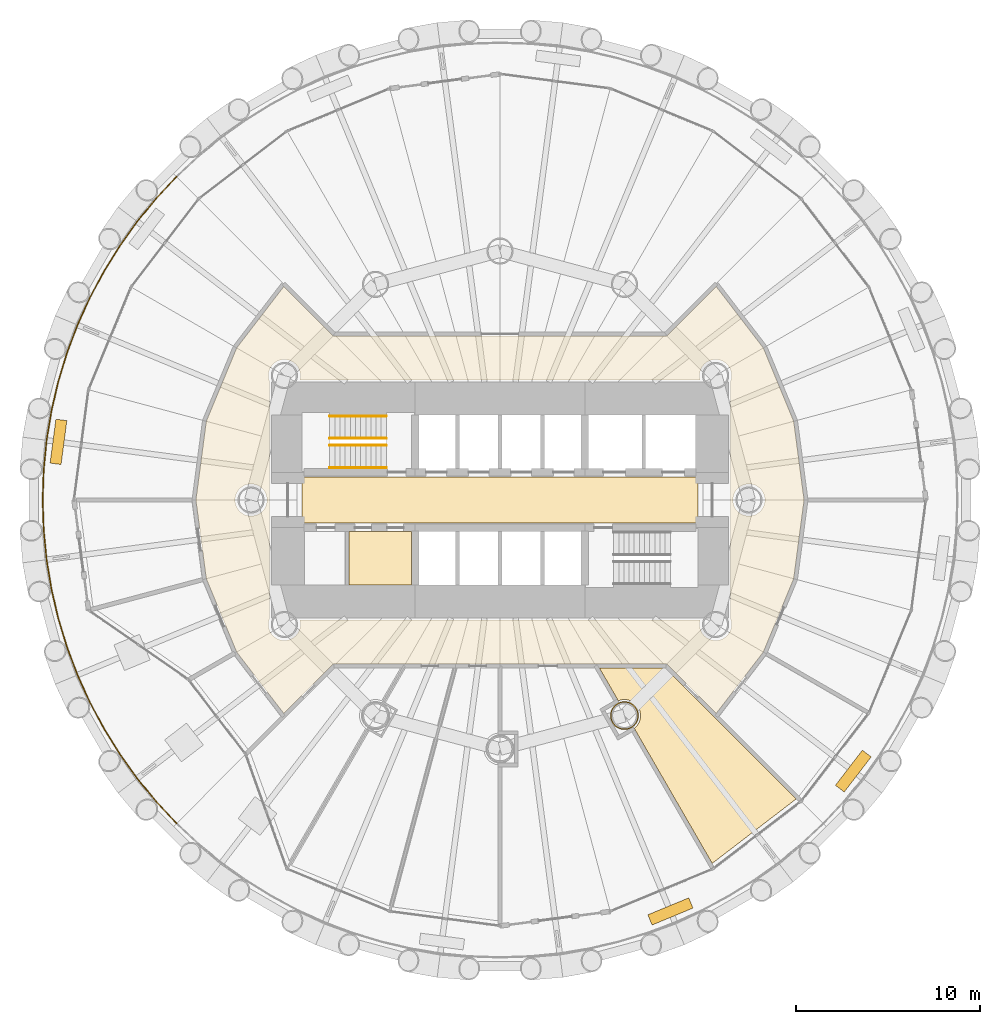
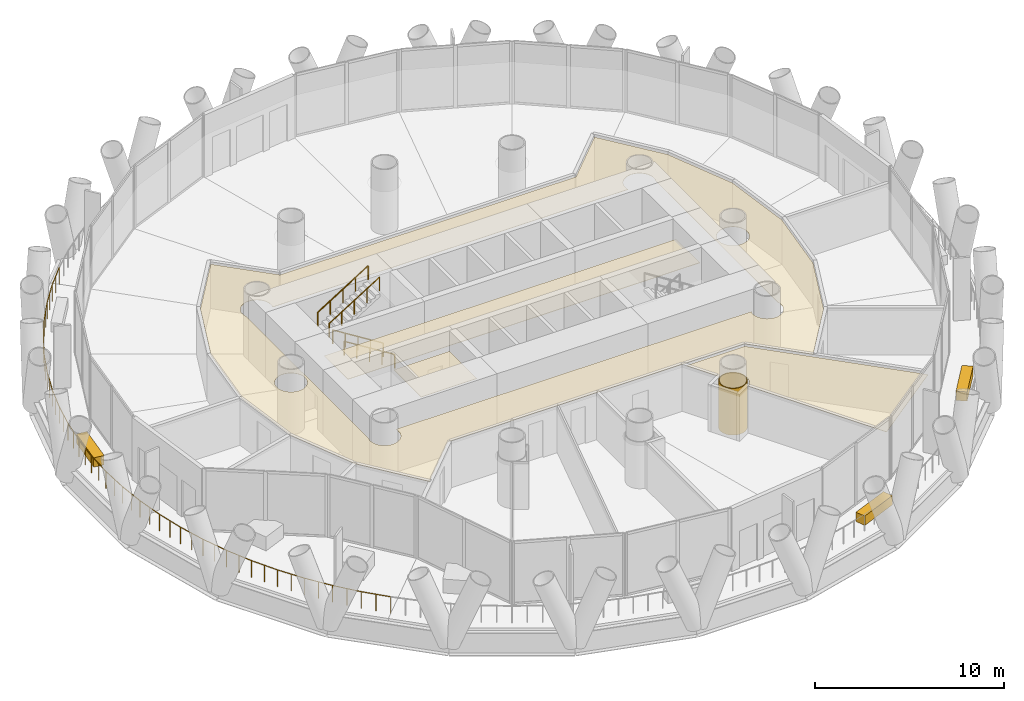
# One storey, part 12 of 14: 8 coverings, 5 railings.
"""IFC4 building model written with IfcOpenShell, lengths in metres."""

from ifc_helpers import new_model, si_unit, direction, frame, origin, origin_2d, place, context, subcontext, project, spatial, polyline, rectangle, circle, outline, extrude, material, layer, layer_set, type_object, element, save


model = new_model("IFC4")

# Units and contexts
model_context = context("Model", 3, precision=1e-05, world=origin(), true_north=direction((0.0, 1.0)))
body_context = subcontext(model_context, "Body", "Model", "MODEL_VIEW")
ifc_project = project(units=[si_unit("LENGTHUNIT", "METRE"), si_unit("AREAUNIT", "SQUARE_METRE"), si_unit("VOLUMEUNIT", "CUBIC_METRE"), si_unit("PLANEANGLEUNIT", "RADIAN"), si_unit("MASSUNIT", "GRAM", prefix="KILO")], contexts=[model_context])

# Site, building, storey
site_placement = place(None, origin())
site = spatial("IfcSite", under=ifc_project, at=site_placement, CompositionType="ELEMENT")
building_placement = place(site_placement, origin())
building = spatial("IfcBuilding", under=site, at=building_placement, Name="Qaws Media Tower", CompositionType="ELEMENT")
storey_placement = place(building_placement, frame((0.0, 0.0, 84.800048828125)))
storey = spatial("IfcBuildingStorey", under=building, at=storey_placement, Name="L18", CompositionType="ELEMENT", Elevation=84.800048828125)

# Railing
ifc_material_1 = material(Name="Stainless steel and glass guard", Category="steel")
railing_type_1 = type_object("IfcRailingType", Name="Balcony guard 1100", PredefinedType="GUARDRAIL", material=ifc_material_1)
railing_placement = place(storey_placement, frame((42.4638671875, 67.5361328125, 0.0)))
element("IfcRailing", 1, at=railing_placement, inside=storey, type_object=railing_type_1, Name="GR1 balcony guard L18-2", PredefinedType="GUARDRAIL", context=body_context, shape_type="SweptSolid", body=[
    extrude(circle(Radius=0.02392578125, at=origin_2d()), frame((0.0, 0.0, 1.076171875), z_axis=(-0.683635794022, -0.729823335563, 0.0), x_axis=(0.729823335563, -0.683635794022, 0.0)), (0.0, 0.0, 1.0), 1.622802734375),
    extrude(circle(Radius=0.02392578125, at=origin_2d()), frame((-1.109375, -1.184326171875, 1.076171875), z_axis=(-0.634351188595, -0.773044998385, 0.0), x_axis=(0.773044998385, -0.634351188595, 0.0)), (0.0, 0.0, 1.0), 1.623046875),
    extrude(circle(Radius=0.02392578125, at=origin_2d()), frame((-2.138916015625, -2.43896484375, 1.076171875), z_axis=(-0.582504032604, -0.812827812024, 0.0), x_axis=(0.812827812024, -0.582504032604, 0.0)), (0.0, 0.0, 1.0), 1.622802734375),
    extrude(circle(Radius=0.02392578125, at=origin_2d()), frame((-3.084228515625, -3.758056640625, 1.076171875), z_axis=(-0.528145239967, -0.849154052867, 0.0), x_axis=(0.849154052867, -0.528145239967, 0.0)), (0.0, 0.0, 1.0), 1.623046875),
    extrude(circle(Radius=0.02392578125, at=origin_2d()), frame((-3.94140625, -5.13623046875, 1.076171875), z_axis=(-0.471361130301, -0.881940295508, 0.0), x_axis=(0.881940295508, -0.471361130301, 0.0)), (0.0, 0.0, 1.0), 1.622802734375),
    extrude(circle(Radius=0.02392578125, at=origin_2d()), frame((-4.706298828125, -6.5673828125, 1.076171875), z_axis=(-0.412646518677, -0.910891239734, 0.0), x_axis=(0.910891239734, -0.412646518677, 0.0)), (0.0, 0.0, 1.0), 1.622802734375),
    extrude(circle(Radius=0.02392578125, at=origin_2d()), frame((-5.3759765625, -8.045654296875, 1.076171875), z_axis=(-0.352326658486, -0.935877089003, 0.0), x_axis=(0.935877089003, -0.352326658486, 0.0)), (0.0, 0.0, 1.0), 1.622802734375),
    extrude(circle(Radius=0.02392578125, at=origin_2d()), frame((-5.94775390625, -9.564453125, 1.076171875), z_axis=(-0.290341398585, -0.956923127669, 0.0), x_axis=(0.956923127669, -0.290341398585, 0.0)), (0.0, 0.0, 1.0), 1.622802734375),
    extrude(circle(Radius=0.02392578125, at=origin_2d()), frame((-6.4189453125, -11.117431640625, 1.076171875), z_axis=(-0.227001346389, -0.973894444351, 0.0), x_axis=(0.973894444351, -0.227001346389, 0.0)), (0.0, 0.0, 1.0), 1.623046875),
    extrude(circle(Radius=0.02392578125, at=origin_2d()), frame((-6.787353515625, -12.697998046875, 1.076171875), z_axis=(-0.162934989647, -0.986636807112, 0.0), x_axis=(0.986636807112, -0.162934989647, 0.0)), (0.0, 0.0, 1.0), 1.622802734375),
    extrude(circle(Radius=0.02392578125, at=origin_2d()), frame((-7.0517578125, -14.299072265625, 1.076171875), z_axis=(-0.097939565983, -0.995192364026, 0.0), x_axis=(0.995192364026, -0.097939565983, 0.0)), (0.0, 0.0, 1.0), 1.622802734375),
    extrude(circle(Radius=0.02392578125, at=origin_2d()), frame((-7.210693359375, -15.9140625, 1.076171875), z_axis=(-0.032793911114, -0.999462135048, 0.0), x_axis=(0.999462135048, -0.032793911114, 0.0)), (0.0, 0.0, 1.0), 1.623046875),
    extrude(circle(Radius=0.02392578125, at=origin_2d()), frame((-7.263916015625, -17.5361328125, 1.076171875), z_axis=(0.032793911114, -0.999462135048, 0.0), x_axis=(0.999462135048, 0.032793911114, 0.0)), (0.0, 0.0, 1.0), 1.623046875),
    extrude(circle(Radius=0.02392578125, at=origin_2d()), frame((-7.210693359375, -19.158203125, 1.076171875), z_axis=(0.097939565983, -0.995192364026, 0.0), x_axis=(0.995192364026, 0.097939565983, 0.0)), (0.0, 0.0, 1.0), 1.622802734375),
    extrude(circle(Radius=0.02392578125, at=origin_2d()), frame((-7.0517578125, -20.773193359375, 1.076171875), z_axis=(0.162934989647, -0.986636807112, 0.0), x_axis=(0.986636807112, 0.162934989647, 0.0)), (0.0, 0.0, 1.0), 1.622802734375),
    extrude(circle(Radius=0.02392578125, at=origin_2d()), frame((-6.787353515625, -22.374267578125, 1.076171875), z_axis=(0.227001346389, -0.973894444351, 0.0), x_axis=(0.973894444351, 0.227001346389, 0.0)), (0.0, 0.0, 1.0), 1.623046875),
    extrude(circle(Radius=0.02392578125, at=origin_2d()), frame((-6.4189453125, -23.954833984375, 1.076171875), z_axis=(0.290341398585, -0.956923127669, 0.0), x_axis=(0.956923127669, 0.290341398585, 0.0)), (0.0, 0.0, 1.0), 1.622802734375),
    extrude(circle(Radius=0.02392578125, at=origin_2d()), frame((-5.94775390625, -25.5078125, 1.076171875), z_axis=(0.352326658486, -0.935877089003, 0.0), x_axis=(0.935877089003, 0.352326658486, 0.0)), (0.0, 0.0, 1.0), 1.622802734375),
    extrude(circle(Radius=0.02392578125, at=origin_2d()), frame((-5.3759765625, -27.026611328125, 1.076171875), z_axis=(0.412646518677, -0.910891239734, 0.0), x_axis=(0.910891239734, 0.412646518677, 0.0)), (0.0, 0.0, 1.0), 1.622802734375),
    extrude(circle(Radius=0.02392578125, at=origin_2d()), frame((-4.706298828125, -28.5048828125, 1.076171875), z_axis=(0.471361130301, -0.881940295508, 0.0), x_axis=(0.881940295508, 0.471361130301, 0.0)), (0.0, 0.0, 1.0), 1.622802734375),
    extrude(circle(Radius=0.02392578125, at=origin_2d()), frame((-3.94140625, -29.93603515625, 1.076171875), z_axis=(0.528145239967, -0.849154052867, 0.0), x_axis=(0.849154052867, 0.528145239967, 0.0)), (0.0, 0.0, 1.0), 1.623046875),
    extrude(circle(Radius=0.02392578125, at=origin_2d()), frame((-3.084228515625, -31.314208984375, 1.076171875), z_axis=(0.582504032604, -0.812827812024, 0.0), x_axis=(0.812827812024, 0.582504032604, 0.0)), (0.0, 0.0, 1.0), 1.622802734375),
    extrude(circle(Radius=0.02392578125, at=origin_2d()), frame((-2.138916015625, -32.63330078125, 1.076171875), z_axis=(0.634351188595, -0.773044998385, 0.0), x_axis=(0.773044998385, 0.634351188595, 0.0)), (0.0, 0.0, 1.0), 1.623046875),
    extrude(circle(Radius=0.02392578125, at=origin_2d()), frame((-1.109375, -33.887939453125, 1.076171875), z_axis=(0.683635794022, -0.729823335563, 0.0), x_axis=(0.729823335563, 0.683635794022, 0.0)), (0.0, 0.0, 1.0), 1.622802734375),
    extrude(circle(Radius=0.02099609375, at=origin_2d()), origin(), (0.0, 0.0, 1.0), 1.052001953125),
    extrude(circle(Radius=0.02099609375, at=origin_2d()), frame((-0.5546875, -0.59228515625, 0.0)), (0.0, 0.0, 1.0), 1.052001953125),
    extrude(circle(Radius=0.02099609375, at=origin_2d()), frame((-1.109375, -1.184326171875, 0.0)), (0.0, 0.0, 1.0), 1.052001953125),
    extrude(circle(Radius=0.02099609375, at=origin_2d()), frame((-1.6240234375, -1.8115234375, 0.0)), (0.0, 0.0, 1.0), 1.052001953125),
    extrude(circle(Radius=0.02099609375, at=origin_2d()), frame((-2.138916015625, -2.43896484375, 0.0)), (0.0, 0.0, 1.0), 1.052001953125),
    extrude(circle(Radius=0.02099609375, at=origin_2d()), frame((-2.611572265625, -3.0986328125, 0.0)), (0.0, 0.0, 1.0), 1.052001953125),
    extrude(circle(Radius=0.02099609375, at=origin_2d()), frame((-3.084228515625, -3.758056640625, 0.0)), (0.0, 0.0, 1.0), 1.052001953125),
    extrude(circle(Radius=0.02099609375, at=origin_2d()), frame((-3.5126953125, -4.447265625, 0.0)), (0.0, 0.0, 1.0), 1.052001953125),
    extrude(circle(Radius=0.02099609375, at=origin_2d()), frame((-3.94140625, -5.13623046875, 0.0)), (0.0, 0.0, 1.0), 1.052001953125),
    extrude(circle(Radius=0.02099609375, at=origin_2d()), frame((-4.32373046875, -5.851806640625, 0.0)), (0.0, 0.0, 1.0), 1.052001953125),
    extrude(circle(Radius=0.02099609375, at=origin_2d()), frame((-4.706298828125, -6.5673828125, 0.0)), (0.0, 0.0, 1.0), 1.052001953125),
    extrude(circle(Radius=0.02099609375, at=origin_2d()), frame((-5.041015625, -7.306640625, 0.0)), (0.0, 0.0, 1.0), 1.052001953125),
    extrude(circle(Radius=0.02099609375, at=origin_2d()), frame((-5.3759765625, -8.045654296875, 0.0)), (0.0, 0.0, 1.0), 1.052001953125),
    extrude(circle(Radius=0.02099609375, at=origin_2d()), frame((-5.661865234375, -8.80517578125, 0.0)), (0.0, 0.0, 1.0), 1.052001953125),
    extrude(circle(Radius=0.02099609375, at=origin_2d()), frame((-5.94775390625, -9.564453125, 0.0)), (0.0, 0.0, 1.0), 1.052001953125),
    extrude(circle(Radius=0.02099609375, at=origin_2d()), frame((-6.183349609375, -10.3408203125, 0.0)), (0.0, 0.0, 1.0), 1.052001953125),
    extrude(circle(Radius=0.02099609375, at=origin_2d()), frame((-6.4189453125, -11.117431640625, 0.0)), (0.0, 0.0, 1.0), 1.052001953125),
    extrude(circle(Radius=0.02099609375, at=origin_2d()), frame((-6.60302734375, -11.90771484375, 0.0)), (0.0, 0.0, 1.0), 1.052001953125),
    extrude(circle(Radius=0.02099609375, at=origin_2d()), frame((-6.787353515625, -12.697998046875, 0.0)), (0.0, 0.0, 1.0), 1.052001953125),
    extrude(circle(Radius=0.02099609375, at=origin_2d()), frame((-6.91943359375, -13.49853515625, 0.0)), (0.0, 0.0, 1.0), 1.052001953125),
    extrude(circle(Radius=0.02099609375, at=origin_2d()), frame((-7.0517578125, -14.299072265625, 0.0)), (0.0, 0.0, 1.0), 1.052001953125),
    extrude(circle(Radius=0.02099609375, at=origin_2d()), frame((-7.13134765625, -15.1064453125, 0.0)), (0.0, 0.0, 1.0), 1.052001953125),
    extrude(circle(Radius=0.02099609375, at=origin_2d()), frame((-7.210693359375, -15.9140625, 0.0)), (0.0, 0.0, 1.0), 1.052001953125),
    extrude(circle(Radius=0.02099609375, at=origin_2d()), frame((-7.2373046875, -16.72509765625, 0.0)), (0.0, 0.0, 1.0), 1.052001953125),
    extrude(circle(Radius=0.02099609375, at=origin_2d()), frame((-7.263916015625, -17.5361328125, 0.0)), (0.0, 0.0, 1.0), 1.052001953125),
    extrude(circle(Radius=0.02099609375, at=origin_2d()), frame((-7.2373046875, -18.34716796875, 0.0)), (0.0, 0.0, 1.0), 1.052001953125),
    extrude(circle(Radius=0.02099609375, at=origin_2d()), frame((-7.210693359375, -19.158203125, 0.0)), (0.0, 0.0, 1.0), 1.052001953125),
    extrude(circle(Radius=0.02099609375, at=origin_2d()), frame((-7.13134765625, -19.9658203125, 0.0)), (0.0, 0.0, 1.0), 1.052001953125),
    extrude(circle(Radius=0.02099609375, at=origin_2d()), frame((-7.0517578125, -20.773193359375, 0.0)), (0.0, 0.0, 1.0), 1.052001953125),
    extrude(circle(Radius=0.02099609375, at=origin_2d()), frame((-6.91943359375, -21.57373046875, 0.0)), (0.0, 0.0, 1.0), 1.052001953125),
    extrude(circle(Radius=0.02099609375, at=origin_2d()), frame((-6.787353515625, -22.374267578125, 0.0)), (0.0, 0.0, 1.0), 1.052001953125),
    extrude(circle(Radius=0.02099609375, at=origin_2d()), frame((-6.60302734375, -23.16455078125, 0.0)), (0.0, 0.0, 1.0), 1.052001953125),
    extrude(circle(Radius=0.02099609375, at=origin_2d()), frame((-6.4189453125, -23.954833984375, 0.0)), (0.0, 0.0, 1.0), 1.052001953125),
    extrude(circle(Radius=0.02099609375, at=origin_2d()), frame((-6.183349609375, -24.7314453125, 0.0)), (0.0, 0.0, 1.0), 1.052001953125),
    extrude(circle(Radius=0.02099609375, at=origin_2d()), frame((-5.94775390625, -25.5078125, 0.0)), (0.0, 0.0, 1.0), 1.052001953125),
    extrude(circle(Radius=0.02099609375, at=origin_2d()), frame((-5.661865234375, -26.26708984375, 0.0)), (0.0, 0.0, 1.0), 1.052001953125),
    extrude(circle(Radius=0.02099609375, at=origin_2d()), frame((-5.3759765625, -27.026611328125, 0.0)), (0.0, 0.0, 1.0), 1.052001953125),
    extrude(circle(Radius=0.02099609375, at=origin_2d()), frame((-5.041015625, -27.765625, 0.0)), (0.0, 0.0, 1.0), 1.052001953125),
    extrude(circle(Radius=0.02099609375, at=origin_2d()), frame((-4.706298828125, -28.5048828125, 0.0)), (0.0, 0.0, 1.0), 1.052001953125),
    extrude(circle(Radius=0.02099609375, at=origin_2d()), frame((-4.32373046875, -29.220458984375, 0.0)), (0.0, 0.0, 1.0), 1.052001953125),
    extrude(circle(Radius=0.02099609375, at=origin_2d()), frame((-3.94140625, -29.93603515625, 0.0)), (0.0, 0.0, 1.0), 1.052001953125),
    extrude(circle(Radius=0.02099609375, at=origin_2d()), frame((-3.5126953125, -30.625, 0.0)), (0.0, 0.0, 1.0), 1.052001953125),
    extrude(circle(Radius=0.02099609375, at=origin_2d()), frame((-3.084228515625, -31.314208984375, 0.0)), (0.0, 0.0, 1.0), 1.052001953125),
    extrude(circle(Radius=0.02099609375, at=origin_2d()), frame((-2.611572265625, -31.9736328125, 0.0)), (0.0, 0.0, 1.0), 1.052001953125),
    extrude(circle(Radius=0.02099609375, at=origin_2d()), frame((-2.138916015625, -32.63330078125, 0.0)), (0.0, 0.0, 1.0), 1.052001953125),
    extrude(circle(Radius=0.02099609375, at=origin_2d()), frame((-1.6240234375, -33.2607421875, 0.0)), (0.0, 0.0, 1.0), 1.052001953125),
    extrude(circle(Radius=0.02099609375, at=origin_2d()), frame((-1.109375, -33.887939453125, 0.0)), (0.0, 0.0, 1.0), 1.052001953125),
    extrude(circle(Radius=0.02099609375, at=origin_2d()), frame((-0.5546875, -34.47998046875, 0.0)), (0.0, 0.0, 1.0), 1.052001953125),
    extrude(circle(Radius=0.02099609375, at=origin_2d()), frame((0.0, -35.072265625, 0.0)), (0.0, 0.0, 1.0), 1.052001953125),
])

# Coverings
ifc_material_2 = material(Name="Two layers 15 fire-rated gypsum board on steel framing", Category="steel")
ifc_layer_1 = layer(ifc_material_2, 0.050048828125)
ifc_layer_set_1 = layer_set([ifc_layer_1], Name="Column fire casing")
covering_type_1 = type_object("IfcCoveringType", Name="Column fire casing", PredefinedType="CLADDING", material=ifc_layer_set_1)
covering_1_placement = place(storey_placement, origin())
element("IfcCovering", 2, at=covering_1_placement, inside=storey, type_object=covering_type_1, Name="CC1 column casing L18", PredefinedType="CLADDING", context=body_context, shape_type="SweptSolid", body=[
    extrude(outline(polyline([(67.51611328125, 38.30859375), (67.509521484375, 38.208740234375), (67.489990234375, 38.1103515625), (67.457763671875, 38.015380859375), (67.413330078125, 37.92578125), (67.357666015625, 37.84228515625), (67.29150390625, 37.76708984375), (67.21630859375, 37.700927734375), (67.133056640625, 37.645263671875), (67.043212890625, 37.60107421875), (66.9482421875, 37.56884765625), (66.85009765625, 37.54931640625), (66.75, 37.542724609375), (66.64990234375, 37.54931640625), (66.5517578125, 37.56884765625), (66.456787109375, 37.60107421875), (66.366943359375, 37.645263671875), (66.28369140625, 37.700927734375), (66.20849609375, 37.76708984375), (66.142333984375, 37.84228515625), (66.086669921875, 37.92578125), (66.042236328125, 38.015380859375), (66.010009765625, 38.1103515625), (65.990478515625, 38.208740234375), (65.98388671875, 38.30859375), (65.990478515625, 38.40869140625), (66.010009765625, 38.5068359375), (66.042236328125, 38.601806640625), (66.086669921875, 38.691650390625), (66.142333984375, 38.77490234375), (66.20849609375, 38.850341796875), (66.28369140625, 38.91650390625), (66.366943359375, 38.971923828125), (66.456787109375, 39.016357421875), (66.5517578125, 39.048583984375), (66.64990234375, 39.068115234375), (66.75, 39.07470703125), (66.85009765625, 39.068115234375), (66.9482421875, 39.048583984375), (67.043212890625, 39.016357421875), (67.133056640625, 38.971923828125), (67.21630859375, 38.91650390625), (67.29150390625, 38.850341796875), (67.357666015625, 38.77490234375), (67.413330078125, 38.691650390625), (67.457763671875, 38.601806640625), (67.489990234375, 38.5068359375), (67.509521484375, 38.40869140625), (67.51611328125, 38.30859375)]), holes=[polyline([(67.464111328125, 38.30859375), (67.4580078125, 38.215576171875), (67.439697265625, 38.123779296875), (67.40966796875, 38.035400390625), (67.368408203125, 37.95166015625), (67.31640625, 37.8740234375), (67.2548828125, 37.8037109375), (67.184814453125, 37.7421875), (67.10693359375, 37.690185546875), (67.023193359375, 37.64892578125), (66.934814453125, 37.618896484375), (66.84326171875, 37.600830078125), (66.75, 37.5947265625), (66.65673828125, 37.600830078125), (66.565185546875, 37.618896484375), (66.476806640625, 37.64892578125), (66.39306640625, 37.690185546875), (66.315185546875, 37.7421875), (66.2451171875, 37.8037109375), (66.18359375, 37.8740234375), (66.131591796875, 37.95166015625), (66.09033203125, 38.035400390625), (66.060302734375, 38.123779296875), (66.0419921875, 38.215576171875), (66.035888671875, 38.30859375), (66.0419921875, 38.40185546875), (66.060302734375, 38.493408203125), (66.09033203125, 38.581787109375), (66.131591796875, 38.665771484375), (66.18359375, 38.743408203125), (66.2451171875, 38.8134765625), (66.315185546875, 38.875), (66.39306640625, 38.927001953125), (66.476806640625, 38.96826171875), (66.565185546875, 38.998291015625), (66.65673828125, 39.0166015625), (66.75, 39.022705078125), (66.84326171875, 39.0166015625), (66.934814453125, 38.998291015625), (67.023193359375, 38.96826171875), (67.10693359375, 38.927001953125), (67.184814453125, 38.875), (67.2548828125, 38.8134765625), (67.31640625, 38.743408203125), (67.368408203125, 38.665771484375), (67.40966796875, 38.581787109375), (67.439697265625, 38.493408203125), (67.4580078125, 38.40185546875), (67.464111328125, 38.30859375)])]), origin(), (0.0, 0.0, 1.0), 3.02001953125),
])
ifc_material_3 = material(Name="600 x 600 mineral fibre tiles in exposed grid, suspended", Category="mineral fibre")
ifc_layer_2 = layer(ifc_material_3, 0.02001953125)
ifc_layer_set_2 = layer_set([ifc_layer_2], Name="Mineral fibre tile ceiling 20")
covering_type_2 = type_object("IfcCoveringType", Name="Mineral fibre tile ceiling 20", PredefinedType="CEILING", material=ifc_layer_set_2)
covering_2_placement = place(storey_placement, frame((0.0, 0.0, 2.849853515625)))
element("IfcCovering", 3, at=covering_2_placement, inside=storey, type_object=covering_type_2, Name="CL1 ceiling L18-01 Corridor", PredefinedType="CEILING", context=body_context, shape_type="SweptSolid", body=[
    extrude(outline(polyline([(48.273193359375, 38.432373046875), (45.72216796875, 41.756591796875), (44.0751953125, 45.73291015625), (43.513427734375, 50.0), (44.0751953125, 54.26708984375), (45.72216796875, 58.243408203125), (48.273193359375, 61.567626953125), (50.953369140625, 58.887451171875), (69.046630859375, 58.887451171875), (71.726806640625, 61.567626953125), (74.27783203125, 58.243408203125), (75.9248046875, 54.26708984375), (76.486572265625, 50.0), (75.9248046875, 45.73291015625), (74.27783203125, 41.756591796875), (71.726806640625, 38.432373046875), (69.046630859375, 41.112548828125), (50.953369140625, 41.112548828125), (48.273193359375, 38.432373046875)]), holes=[polyline([(49.14599609375, 56.512451171875), (49.14990234375, 56.524658203125), (49.172119140625, 56.63623046875), (49.1796875, 56.75), (49.172119140625, 56.86376953125), (49.14990234375, 56.975341796875), (49.11328125, 57.083251953125), (49.06298828125, 57.185546875), (48.999755859375, 57.2802734375), (48.924560546875, 57.365966796875), (48.8388671875, 57.44091796875), (48.744140625, 57.50439453125), (48.64208984375, 57.5546875), (48.5341796875, 57.59130859375), (48.42236328125, 57.613525390625), (48.30859375, 57.62109375), (48.195068359375, 57.613525390625), (48.083251953125, 57.59130859375), (47.975341796875, 57.5546875), (47.873291015625, 57.50439453125), (47.7783203125, 57.44091796875), (47.69287109375, 57.365966796875), (47.61767578125, 57.2802734375), (47.55419921875, 57.185546875), (47.50390625, 57.083251953125), (47.46728515625, 56.975341796875), (47.445068359375, 56.86376953125), (47.437744140625, 56.75), (47.445068359375, 56.63623046875), (47.46728515625, 56.524658203125), (47.487548828125, 56.465087890625), (47.487548828125, 43.534912109375), (47.46728515625, 43.475341796875), (47.445068359375, 43.36376953125), (47.437744140625, 43.25), (47.445068359375, 43.13623046875), (47.46728515625, 43.024658203125), (47.50390625, 42.916748046875), (47.55419921875, 42.814453125), (47.61767578125, 42.7197265625), (47.69287109375, 42.634033203125), (47.7783203125, 42.55908203125), (47.873291015625, 42.49560546875), (47.975341796875, 42.4453125), (48.083251953125, 42.40869140625), (48.195068359375, 42.386474609375), (48.30859375, 42.37890625), (48.42236328125, 42.386474609375), (48.5341796875, 42.40869140625), (48.64208984375, 42.4453125), (48.744140625, 42.49560546875), (48.8388671875, 42.55908203125), (48.924560546875, 42.634033203125), (48.999755859375, 42.7197265625), (49.06298828125, 42.814453125), (49.11328125, 42.916748046875), (49.14990234375, 43.024658203125), (49.172119140625, 43.13623046875), (49.1796875, 43.25), (49.172119140625, 43.36376953125), (49.14990234375, 43.475341796875), (49.14599609375, 43.487548828125), (70.85400390625, 43.487548828125), (70.85009765625, 43.475341796875), (70.827880859375, 43.36376953125), (70.8203125, 43.25), (70.827880859375, 43.13623046875), (70.85009765625, 43.024658203125), (70.88671875, 42.916748046875), (70.93701171875, 42.814453125), (71.000244140625, 42.7197265625), (71.075439453125, 42.634033203125), (71.1611328125, 42.55908203125), (71.255859375, 42.49560546875), (71.35791015625, 42.4453125), (71.4658203125, 42.40869140625), (71.57763671875, 42.386474609375), (71.69140625, 42.37890625), (71.804931640625, 42.386474609375), (71.916748046875, 42.40869140625), (72.024658203125, 42.4453125), (72.126708984375, 42.49560546875), (72.2216796875, 42.55908203125), (72.30712890625, 42.634033203125), (72.38232421875, 42.7197265625), (72.44580078125, 42.814453125), (72.49609375, 42.916748046875), (72.53271484375, 43.024658203125), (72.554931640625, 43.13623046875), (72.562255859375, 43.25), (72.554931640625, 43.36376953125), (72.53271484375, 43.475341796875), (72.512451171875, 43.534912109375), (72.512451171875, 56.465087890625), (72.53271484375, 56.524658203125), (72.554931640625, 56.63623046875), (72.562255859375, 56.75), (72.554931640625, 56.86376953125), (72.53271484375, 56.975341796875), (72.49609375, 57.083251953125), (72.44580078125, 57.185546875), (72.38232421875, 57.2802734375), (72.30712890625, 57.365966796875), (72.2216796875, 57.44091796875), (72.126708984375, 57.50439453125), (72.024658203125, 57.5546875), (71.916748046875, 57.59130859375), (71.804931640625, 57.613525390625), (71.69140625, 57.62109375), (71.57763671875, 57.613525390625), (71.4658203125, 57.59130859375), (71.35791015625, 57.5546875), (71.255859375, 57.50439453125), (71.1611328125, 57.44091796875), (71.075439453125, 57.365966796875), (71.000244140625, 57.2802734375), (70.93701171875, 57.185546875), (70.88671875, 57.083251953125), (70.85009765625, 56.975341796875), (70.827880859375, 56.86376953125), (70.8203125, 56.75), (70.827880859375, 56.63623046875), (70.85009765625, 56.524658203125), (70.85400390625, 56.512451171875), (49.14599609375, 56.512451171875)]), polyline([(47.3046875, 49.666748046875), (47.34130859375, 49.774658203125), (47.363525390625, 49.88623046875), (47.37109375, 50.0), (47.363525390625, 50.11376953125), (47.34130859375, 50.225341796875), (47.3046875, 50.333251953125), (47.25439453125, 50.435546875), (47.19091796875, 50.5302734375), (47.115966796875, 50.615966796875), (47.0302734375, 50.69091796875), (46.935546875, 50.75439453125), (46.833251953125, 50.8046875), (46.725341796875, 50.84130859375), (46.61376953125, 50.863525390625), (46.5, 50.87109375), (46.38623046875, 50.863525390625), (46.274658203125, 50.84130859375), (46.166748046875, 50.8046875), (46.064453125, 50.75439453125), (45.9697265625, 50.69091796875), (45.884033203125, 50.615966796875), (45.80908203125, 50.5302734375), (45.74560546875, 50.435546875), (45.6953125, 50.333251953125), (45.65869140625, 50.225341796875), (45.636474609375, 50.11376953125), (45.62890625, 50.0), (45.636474609375, 49.88623046875), (45.65869140625, 49.774658203125), (45.6953125, 49.666748046875), (45.74560546875, 49.564453125), (45.80908203125, 49.4697265625), (45.884033203125, 49.384033203125), (45.9697265625, 49.30908203125), (46.064453125, 49.24560546875), (46.166748046875, 49.1953125), (46.274658203125, 49.15869140625), (46.38623046875, 49.136474609375), (46.5, 49.12890625), (46.61376953125, 49.136474609375), (46.725341796875, 49.15869140625), (46.833251953125, 49.1953125), (46.935546875, 49.24560546875), (47.0302734375, 49.30908203125), (47.115966796875, 49.384033203125), (47.19091796875, 49.4697265625), (47.25439453125, 49.564453125), (47.3046875, 49.666748046875)]), polyline([(74.34130859375, 49.774658203125), (74.363525390625, 49.88623046875), (74.37109375, 50.0), (74.363525390625, 50.11376953125), (74.34130859375, 50.225341796875), (74.3046875, 50.333251953125), (74.25439453125, 50.435546875), (74.19091796875, 50.5302734375), (74.115966796875, 50.615966796875), (74.0302734375, 50.69091796875), (73.935546875, 50.75439453125), (73.833251953125, 50.8046875), (73.725341796875, 50.84130859375), (73.61376953125, 50.863525390625), (73.5, 50.87109375), (73.38623046875, 50.863525390625), (73.274658203125, 50.84130859375), (73.166748046875, 50.8046875), (73.064453125, 50.75439453125), (72.9697265625, 50.69091796875), (72.884033203125, 50.615966796875), (72.80908203125, 50.5302734375), (72.74560546875, 50.435546875), (72.6953125, 50.333251953125), (72.65869140625, 50.225341796875), (72.636474609375, 50.11376953125), (72.62890625, 50.0), (72.636474609375, 49.88623046875), (72.65869140625, 49.774658203125), (72.6953125, 49.666748046875), (72.74560546875, 49.564453125), (72.80908203125, 49.4697265625), (72.884033203125, 49.384033203125), (72.9697265625, 49.30908203125), (73.064453125, 49.24560546875), (73.166748046875, 49.1953125), (73.274658203125, 49.15869140625), (73.38623046875, 49.136474609375), (73.5, 49.12890625), (73.61376953125, 49.136474609375), (73.725341796875, 49.15869140625), (73.833251953125, 49.1953125), (73.935546875, 49.24560546875), (74.0302734375, 49.30908203125), (74.115966796875, 49.384033203125), (74.19091796875, 49.4697265625), (74.25439453125, 49.564453125), (74.3046875, 49.666748046875), (74.34130859375, 49.774658203125)])]), origin(), (0.0, 0.0, 1.0), 0.02001953125),
])
covering_3_placement = place(storey_placement, frame((0.0, 0.0, 2.849853515625)))
element("IfcCovering", 4, at=covering_3_placement, inside=storey, type_object=covering_type_2, Name="CL1 ceiling L18-10 Gents toilets", PredefinedType="CEILING", context=body_context, shape_type="SweptSolid", body=[
    extrude(outline(polyline([(71.507568359375, 30.293212890625), (67.279296875, 37.616943359375), (67.365966796875, 37.69287109375), (67.44091796875, 37.7783203125), (67.50439453125, 37.873291015625), (67.5546875, 37.975341796875), (67.59130859375, 38.083251953125), (67.613525390625, 38.195068359375), (67.62109375, 38.30859375), (67.613525390625, 38.42236328125), (67.59130859375, 38.5341796875), (67.5546875, 38.64208984375), (67.50439453125, 38.744140625), (67.44091796875, 38.8388671875), (67.365966796875, 38.924560546875), (67.2802734375, 38.999755859375), (67.185546875, 39.06298828125), (67.083251953125, 39.11328125), (66.975341796875, 39.14990234375), (66.86376953125, 39.172119140625), (66.75, 39.1796875), (66.63623046875, 39.172119140625), (66.524658203125, 39.14990234375), (66.41552734375, 39.11279296875), (65.39111328125, 40.887451171875), (68.953369140625, 40.887451171875), (76.056884765625, 33.783935546875), (71.507568359375, 30.293212890625)])), origin(), (0.0, 0.0, 1.0), 0.02001953125),
])
covering_4_placement = place(storey_placement, frame((0.0, 0.0, 2.849853515625)))
element("IfcCovering", 5, at=covering_4_placement, inside=storey, type_object=covering_type_2, Name="CL1 ceiling L18-C05 Shower room", PredefinedType="CEILING", context=body_context, shape_type="SweptSolid", body=[
    extrude(outline(polyline([(51.800048828125, 45.39990234375), (51.800048828125, 48.300048828125), (55.199951171875, 48.300048828125), (55.199951171875, 45.39990234375), (51.800048828125, 45.39990234375)])), origin(), (0.0, 0.0, 1.0), 0.02001953125),
])
ifc_material_4 = material(Name="Precast concrete planter with trailing planting", Category="concrete")
ifc_layer_3 = layer(ifc_material_4, 0.60009765625)
ifc_layer_set_3 = layer_set([ifc_layer_3], Name="Planter 2400x600")
covering_type_3 = type_object("IfcCoveringType", Name="Planter 2400x600", PredefinedType="USERDEFINED", material=ifc_layer_set_3)
for number, where, z_axis, x_axis, name in (
    (6, (36.056640625, 53.152099609375, 0.0), (0.0, 0.0, 1.0), (-0.13052619222, -0.991444861374, 0.0), "PL1 balcony planter L18-06"),
    (7, (69.24169921875, 27.688232421875, 0.0), (0.0, 0.0, 1.0), (0.923879532511, 0.382683432365, 0.0), "PL1 balcony planter L18-10"),
    (8, (79.159423828125, 35.29833984375, 0.0), (0.0, 0.0, 1.0), (0.608761429009, 0.793353340291, 0.0), "PL1 balcony planter L18-11"),
):
    element("IfcCovering", number, at=place(storey_placement, frame(where, z_axis=z_axis, x_axis=x_axis)), inside=storey, type_object=covering_type_3, Name=name, ObjectType="PLANTER", PredefinedType="USERDEFINED", context=body_context, shape_type="SweptSolid", body=[
        extrude(rectangle(XDim=2.39990234375, YDim=0.60009765625, at=origin_2d()), origin(), (0.0, 0.0, 1.0), 0.60009765625),
    ])
ifc_material_5 = material(Name="Two layers 12.5 moisture-resistant plasterboard on suspended metal furring", Category="gypsum")
ifc_layer_4 = layer(ifc_material_5, 0.02490234375)
ifc_layer_set_4 = layer_set([ifc_layer_4], Name="Plasterboard ceiling 25")
covering_type_4 = type_object("IfcCoveringType", Name="Plasterboard ceiling 25", PredefinedType="CEILING", material=ifc_layer_set_4)
covering_5_placement = place(storey_placement, frame((0.0, 0.0, 2.849853515625)))
element("IfcCovering", 9, at=covering_5_placement, inside=storey, type_object=covering_type_4, Name="CL2 ceiling L18-C01 Lift lobby", PredefinedType="CEILING", context=body_context, shape_type="SweptSolid", body=[
    extrude(outline(polyline([(49.25, 48.75), (49.25, 51.25), (70.75, 51.25), (70.75, 48.75), (49.25, 48.75)])), origin(), (0.0, 0.0, 1.0), 0.025146484375),
])

# Railings
ifc_material_6 = material(Name="Steel tube handrail", Category="steel")
railing_type_2 = type_object("IfcRailingType", Name="Stair handrail 900", PredefinedType="HANDRAIL", material=ifc_material_6)
for number, where, name in (
    (10, (53.840087890625, 51.75, 0.175048828125), "HR1 handrail S1 flight 1 L18"),
    (11, (53.840087890625, 52.9599609375, 0.175048828125), "HR1 handrail S1 flight 1 L18"),
):
    element("IfcRailing", number, at=place(storey_placement, frame(where)), inside=storey, type_object=railing_type_2, Name=name, PredefinedType="HANDRAIL", context=body_context, shape_type="SweptSolid", body=[
        extrude(circle(Radius=0.02392578125, at=origin_2d()), frame((0.0, 0.0, 0.8759765625), z_axis=(-0.848028513186, 0.0, 0.529950602248), x_axis=(0.0, -1.0, 0.0)), (0.0, 0.0, 1.0), 3.632080078125),
        extrude(circle(Radius=0.02099609375, at=origin_2d()), origin(), (0.0, 0.0, 1.0), 0.851806640625),
        extrude(circle(Radius=0.02099609375, at=origin_2d()), frame((-0.77001953125, 0.0, 0.481201171875)), (0.0, 0.0, 1.0), 0.851806640625),
        extrude(circle(Radius=0.02099609375, at=origin_2d()), frame((-1.5400390625, 0.0, 0.96240234375)), (0.0, 0.0, 1.0), 0.851806640625),
        extrude(circle(Radius=0.02099609375, at=origin_2d()), frame((-2.31005859375, 0.0, 1.443603515625)), (0.0, 0.0, 1.0), 0.851806640625),
        extrude(circle(Radius=0.02099609375, at=origin_2d()), frame((-3.080078125, 0.0, 1.9248046875)), (0.0, 0.0, 1.0), 0.851806640625),
    ])
for number, where, name in (
    (12, (50.760009765625, 54.550048828125, 2.27490234375), "HR1 handrail S1 flight 2 L18"),
    (13, (50.760009765625, 53.340087890625, 2.27490234375), "HR1 handrail S1 flight 2 L18"),
):
    element("IfcRailing", number, at=place(storey_placement, frame(where)), inside=storey, type_object=railing_type_2, Name=name, PredefinedType="HANDRAIL", context=body_context, shape_type="SweptSolid", body=[
        extrude(circle(Radius=0.02392578125, at=origin_2d()), frame((0.0, 0.0, 0.8759765625), z_axis=(0.847998304005, 0.0, 0.529998940003), x_axis=(0.0, 1.0, 0.0)), (0.0, 0.0, 1.0), 3.632080078125),
        extrude(circle(Radius=0.02099609375, at=origin_2d()), origin(), (0.0, 0.0, 1.0), 0.851806640625),
        extrude(circle(Radius=0.02099609375, at=origin_2d()), frame((0.77001953125, 0.0, 0.481201171875)), (0.0, 0.0, 1.0), 0.851806640625),
        extrude(circle(Radius=0.02099609375, at=origin_2d()), frame((1.5400390625, 0.0, 0.96240234375)), (0.0, 0.0, 1.0), 0.851806640625),
        extrude(circle(Radius=0.02099609375, at=origin_2d()), frame((2.31005859375, 0.0, 1.44384765625)), (0.0, 0.0, 1.0), 0.851806640625),
        extrude(circle(Radius=0.02099609375, at=origin_2d()), frame((3.080078125, 0.0, 1.925048828125)), (0.0, 0.0, 1.0), 0.851806640625),
    ])

save(model, "model.ifc")
